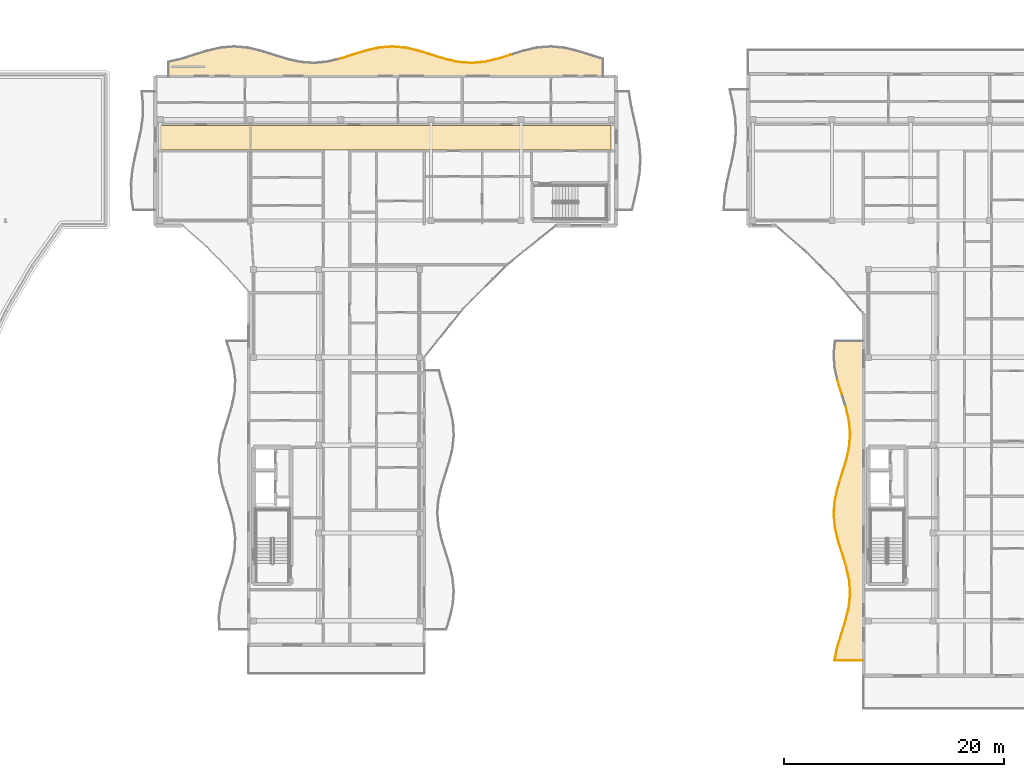
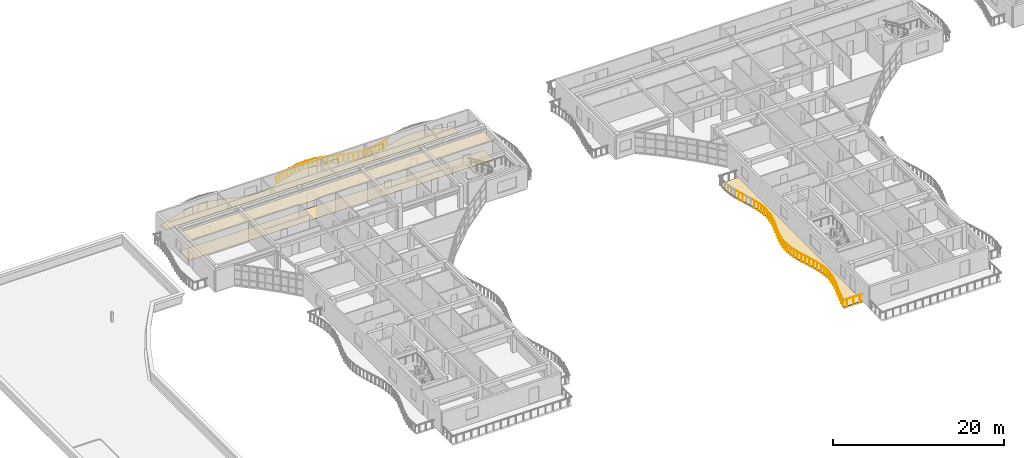
# One storey, part 43 of 54: 34 railings, 4 coverings.
"""IFC4 building model written with IfcOpenShell, lengths in metres."""

from ifc_helpers import new_model, si_unit, direction, frame, origin, origin_2d, place, context, subcontext, project, spatial, polyline, circle, outline, extrude, material, layer, layer_set, type_object, element, save


model = new_model("IFC4")

# Units and contexts
model_context = context("Model", 3, precision=1e-05, world=origin(), true_north=direction((0.0, 1.0)))
body_context = subcontext(model_context, "Body", "Model", "MODEL_VIEW")
ifc_project = project(units=[si_unit("LENGTHUNIT", "METRE"), si_unit("AREAUNIT", "SQUARE_METRE"), si_unit("VOLUMEUNIT", "CUBIC_METRE"), si_unit("PLANEANGLEUNIT", "RADIAN"), si_unit("MASSUNIT", "GRAM", prefix="KILO")], contexts=[model_context])

# Site, building, storey
site_placement = place(None, origin())
site = spatial("IfcSite", under=ifc_project, at=site_placement, CompositionType="ELEMENT")
building_placement = place(site_placement, origin())
building = spatial("IfcBuilding", under=site, at=building_placement, Name="Keldmere Railside Commons", CompositionType="ELEMENT")
storey_placement = place(building_placement, frame((0.0, 0.0, 26.56005859375)))
storey = spatial("IfcBuildingStorey", under=building, at=storey_placement, Name="L08", CompositionType="ELEMENT", Elevation=26.56005859375)

# Railings
ifc_material_1 = material(Name="Steel F-24 (S235)", Category="steel")
railing_type = type_object("IfcRailingType", Name="Balcony & Terrace Steel Balustrade 1100", PredefinedType="BALUSTRADE", material=ifc_material_1)
railing_1_placement = place(storey_placement, frame((56.300048828125, 115.18408203125, 0.0)))
element("IfcRailing", 1, at=railing_1_placement, inside=storey, type_object=railing_type, Name="GR-1 GRD-L08-1651", PredefinedType="BALUSTRADE", context=body_context, shape_type="SweptSolid", body=[
    extrude(circle(Radius=0.02392578125, at=origin_2d()), frame((0.0, 0.0, 1.076171875), z_axis=(0.954144313208, 0.299347005283, 0.0), x_axis=(-0.299347005283, 0.954144313208, 0.0)), (0.0, 0.0, 1.0), 1.257568359375),
    extrude(circle(Radius=0.02099609375, at=origin_2d()), frame((0.300048828125, 0.09423828125, 0.0)), (0.0, 0.0, 1.0), 1.048095703125),
    extrude(circle(Radius=0.02099609375, at=origin_2d()), frame((0.89990234375, 0.2822265625, 0.0)), (0.0, 0.0, 1.0), 1.048095703125),
])
railing_2_placement = place(storey_placement, frame((57.5, 115.560546875, 0.0)))
element("IfcRailing", 2, at=railing_2_placement, inside=storey, type_object=railing_type, Name="GR-1 GRD-L08-1652", PredefinedType="BALUSTRADE", context=body_context, shape_type="SweptSolid", body=[
    extrude(circle(Radius=0.02392578125, at=origin_2d()), frame((0.0, 0.0, 1.076171875), z_axis=(0.954807781872, 0.297223989067, 0.0), x_axis=(-0.297223989067, 0.954807781872, 0.0)), (0.0, 0.0, 1.0), 1.2568359375),
    extrude(circle(Radius=0.02099609375, at=origin_2d()), frame((0.300048828125, 0.09326171875, 0.0)), (0.0, 0.0, 1.0), 1.048095703125),
    extrude(circle(Radius=0.02099609375, at=origin_2d()), frame((0.89990234375, 0.2802734375, 0.0)), (0.0, 0.0, 1.0), 1.048095703125),
])
railing_3_placement = place(storey_placement, frame((58.699951171875, 115.93408203125, 0.0)))
element("IfcRailing", 3, at=railing_3_placement, inside=storey, type_object=railing_type, Name="GR-1 GRD-L08-1653", PredefinedType="BALUSTRADE", context=body_context, shape_type="SweptSolid", body=[
    extrude(circle(Radius=0.02392578125, at=origin_2d()), frame((0.0, 0.0, 1.076171875), z_axis=(0.975519348897, 0.219913619243, 0.0), x_axis=(-0.219913619243, 0.975519348897, 0.0)), (0.0, 0.0, 1.0), 1.22998046875),
    extrude(circle(Radius=0.02099609375, at=origin_2d()), frame((0.300048828125, 0.067626953125, 0.0)), (0.0, 0.0, 1.0), 1.048095703125),
    extrude(circle(Radius=0.02099609375, at=origin_2d()), frame((0.89990234375, 0.202880859375, 0.0)), (0.0, 0.0, 1.0), 1.048095703125),
])
railing_4_placement = place(storey_placement, frame((59.89990234375, 116.20458984375, 0.0)))
element("IfcRailing", 4, at=railing_4_placement, inside=storey, type_object=railing_type, Name="GR-1 GRD-L08-1654", PredefinedType="BALUSTRADE", context=body_context, shape_type="SweptSolid", body=[
    extrude(circle(Radius=0.02392578125, at=origin_2d()), frame((0.0, 0.0, 1.076171875), z_axis=(0.996867930625, 0.079084315082, 0.0), x_axis=(-0.079084315082, 0.996867930625, 0.0)), (0.0, 0.0, 1.0), 1.203857421875),
    extrude(circle(Radius=0.02099609375, at=origin_2d()), frame((0.300048828125, 0.02392578125, 0.0)), (0.0, 0.0, 1.0), 1.048095703125),
    extrude(circle(Radius=0.02099609375, at=origin_2d()), frame((0.900146484375, 0.0712890625, 0.0)), (0.0, 0.0, 1.0), 1.048095703125),
])
railing_5_placement = place(storey_placement, frame((61.10009765625, 116.2998046875, 0.0)))
element("IfcRailing", 5, at=railing_5_placement, inside=storey, type_object=railing_type, Name="GR-1 GRD-L08-1655", PredefinedType="BALUSTRADE", context=body_context, shape_type="SweptSolid", body=[
    extrude(circle(Radius=0.02392578125, at=origin_2d()), frame((0.0, 0.0, 1.076171875), z_axis=(0.996141844593, -0.08775776576, 0.0), x_axis=(0.08775776576, 0.996141844593, 0.0)), (0.0, 0.0, 1.0), 1.20458984375),
    extrude(circle(Radius=0.02099609375, at=origin_2d()), frame((0.300048828125, -0.0263671875, 0.0)), (0.0, 0.0, 1.0), 1.048095703125),
    extrude(circle(Radius=0.02099609375, at=origin_2d()), frame((0.89990234375, -0.079345703125, 0.0)), (0.0, 0.0, 1.0), 1.048095703125),
])
railing_6_placement = place(storey_placement, frame((62.300048828125, 116.194091796875, 0.0)))
element("IfcRailing", 6, at=railing_6_placement, inside=storey, type_object=railing_type, Name="GR-1 GRD-L08-1656", PredefinedType="BALUSTRADE", context=body_context, shape_type="SweptSolid", body=[
    extrude(circle(Radius=0.02392578125, at=origin_2d()), frame((0.0, 0.0, 1.076171875), z_axis=(0.974183667975, -0.225756906983, 0.0), x_axis=(0.225756906983, 0.974183667975, 0.0)), (0.0, 0.0, 1.0), 1.231689453125),
    extrude(circle(Radius=0.02099609375, at=origin_2d()), frame((0.300048828125, -0.069580078125, 0.0)), (0.0, 0.0, 1.0), 1.048095703125),
    extrude(circle(Radius=0.02099609375, at=origin_2d()), frame((0.89990234375, -0.20849609375, 0.0)), (0.0, 0.0, 1.0), 1.048095703125),
])
railing_7_placement = place(storey_placement, frame((63.5, 115.916015625, 0.0)))
element("IfcRailing", 7, at=railing_7_placement, inside=storey, type_object=railing_type, Name="GR-1 GRD-L08-1657", PredefinedType="BALUSTRADE", context=body_context, shape_type="SweptSolid", body=[
    extrude(circle(Radius=0.02392578125, at=origin_2d()), frame((0.0, 0.0, 1.076171875), z_axis=(0.954144313208, -0.299347005283, 0.0), x_axis=(0.299347005283, 0.954144313208, 0.0)), (0.0, 0.0, 1.0), 1.257568359375),
    extrude(circle(Radius=0.02099609375, at=origin_2d()), frame((0.300048828125, -0.09423828125, 0.0)), (0.0, 0.0, 1.0), 1.048095703125),
    extrude(circle(Radius=0.02099609375, at=origin_2d()), frame((0.89990234375, -0.2822265625, 0.0)), (0.0, 0.0, 1.0), 1.048095703125),
])
railing_8_placement = place(storey_placement, frame((64.699951171875, 115.53955078125, 0.0)))
element("IfcRailing", 8, at=railing_8_placement, inside=storey, type_object=railing_type, Name="GR-1 GRD-L08-1658", PredefinedType="BALUSTRADE", context=body_context, shape_type="SweptSolid", body=[
    extrude(circle(Radius=0.02392578125, at=origin_2d()), frame((0.0, 0.0, 1.076171875), z_axis=(0.954807781872, -0.297223989067, 0.0), x_axis=(0.297223989067, 0.954807781872, 0.0)), (0.0, 0.0, 1.0), 1.2568359375),
    extrude(circle(Radius=0.02099609375, at=origin_2d()), frame((0.300048828125, -0.09326171875, 0.0)), (0.0, 0.0, 1.0), 1.048095703125),
    extrude(circle(Radius=0.02099609375, at=origin_2d()), frame((0.89990234375, -0.2802734375, 0.0)), (0.0, 0.0, 1.0), 1.048095703125),
])
railing_9_placement = place(storey_placement, frame((65.89990234375, 115.166015625, 0.0)))
element("IfcRailing", 9, at=railing_9_placement, inside=storey, type_object=railing_type, Name="GR-1 GRD-L08-1659", PredefinedType="BALUSTRADE", context=body_context, shape_type="SweptSolid", body=[
    extrude(circle(Radius=0.02392578125, at=origin_2d()), frame((0.0, 0.0, 1.076171875), z_axis=(0.975486365065, -0.220059881786, 0.0), x_axis=(0.220059881786, 0.975486365065, 0.0)), (0.0, 0.0, 1.0), 1.23046875),
    extrude(circle(Radius=0.02099609375, at=origin_2d()), frame((0.300048828125, -0.067626953125, 0.0)), (0.0, 0.0, 1.0), 1.048095703125),
    extrude(circle(Radius=0.02099609375, at=origin_2d()), frame((0.900146484375, -0.203125, 0.0)), (0.0, 0.0, 1.0), 1.048095703125),
])
railing_10_placement = place(storey_placement, frame((67.10009765625, 114.895263671875, 0.0)))
element("IfcRailing", 10, at=railing_10_placement, inside=storey, type_object=railing_type, Name="GR-1 GRD-L08-1660", PredefinedType="BALUSTRADE", context=body_context, shape_type="SweptSolid", body=[
    extrude(circle(Radius=0.02392578125, at=origin_2d()), frame((0.0, 0.0, 1.076171875), z_axis=(0.996866661985, -0.079100304817, 0.0), x_axis=(0.079100304817, 0.996866661985, 0.0)), (0.0, 0.0, 1.0), 1.20361328125),
    extrude(circle(Radius=0.02099609375, at=origin_2d()), frame((0.300048828125, -0.02392578125, 0.0)), (0.0, 0.0, 1.0), 1.048095703125),
    extrude(circle(Radius=0.02099609375, at=origin_2d()), frame((0.89990234375, -0.0712890625, 0.0)), (0.0, 0.0, 1.0), 1.048095703125),
])
railing_11_placement = place(storey_placement, frame((68.300048828125, 114.800048828125, 0.0)))
element("IfcRailing", 11, at=railing_11_placement, inside=storey, type_object=railing_type, Name="GR-1 GRD-L08-1661", PredefinedType="BALUSTRADE", context=body_context, shape_type="SweptSolid", body=[
    extrude(circle(Radius=0.02392578125, at=origin_2d()), frame((0.0, 0.0, 1.076171875), z_axis=(0.996141844593, 0.08775776576, 0.0), x_axis=(-0.08775776576, 0.996141844593, 0.0)), (0.0, 0.0, 1.0), 1.20458984375),
    extrude(circle(Radius=0.02099609375, at=origin_2d()), frame((0.300048828125, 0.0263671875, 0.0)), (0.0, 0.0, 1.0), 1.048095703125),
    extrude(circle(Radius=0.02099609375, at=origin_2d()), frame((0.89990234375, 0.079345703125, 0.0)), (0.0, 0.0, 1.0), 1.048095703125),
])
railing_12_placement = place(storey_placement, frame((69.5, 114.90576171875, 0.0)))
element("IfcRailing", 12, at=railing_12_placement, inside=storey, type_object=railing_type, Name="GR-1 GRD-L08-1662", PredefinedType="BALUSTRADE", context=body_context, shape_type="SweptSolid", body=[
    extrude(circle(Radius=0.02392578125, at=origin_2d()), frame((0.0, 0.0, 1.076171875), z_axis=(0.974140060528, 0.22594499878, 0.0), x_axis=(-0.22594499878, 0.974140060528, 0.0)), (0.0, 0.0, 1.0), 1.231689453125),
    extrude(circle(Radius=0.02099609375, at=origin_2d()), frame((0.300048828125, 0.069580078125, 0.0)), (0.0, 0.0, 1.0), 1.048095703125),
    extrude(circle(Radius=0.02099609375, at=origin_2d()), frame((0.89990234375, 0.208740234375, 0.0)), (0.0, 0.0, 1.0), 1.048095703125),
])
railing_13_placement = place(storey_placement, frame((70.699951171875, 115.18408203125, 0.0)))
element("IfcRailing", 13, at=railing_13_placement, inside=storey, type_object=railing_type, Name="GR-1 GRD-L08-1663", PredefinedType="BALUSTRADE", context=body_context, shape_type="SweptSolid", body=[
    extrude(circle(Radius=0.02392578125, at=origin_2d()), frame((0.0, 0.0, 1.076171875), z_axis=(0.954144313208, 0.299347005283, 0.0), x_axis=(-0.299347005283, 0.954144313208, 0.0)), (0.0, 0.0, 1.0), 1.257568359375),
    extrude(circle(Radius=0.02099609375, at=origin_2d()), frame((0.300048828125, 0.09423828125, 0.0)), (0.0, 0.0, 1.0), 1.048095703125),
    extrude(circle(Radius=0.02099609375, at=origin_2d()), frame((0.89990234375, 0.2822265625, 0.0)), (0.0, 0.0, 1.0), 1.048095703125),
])
railing_14_placement = place(storey_placement, frame((104.0, 60.39990234375, 0.0)))
element("IfcRailing", 14, at=railing_14_placement, inside=storey, type_object=railing_type, Name="GR-1 GRD-L08-2785", PredefinedType="BALUSTRADE", context=body_context, shape_type="SweptSolid", body=[
    extrude(circle(Radius=0.02392578125, at=origin_2d()), frame((0.0, 0.0, 1.076171875), z_axis=(-1.0, 0.0, 0.0), x_axis=(0.0, -1.0, 0.0)), (0.0, 0.0, 1.0), 2.626708984375),
    extrude(circle(Radius=0.02099609375, at=origin_2d()), frame((-0.437744140625, 0.0, 0.0)), (0.0, 0.0, 1.0), 1.048095703125),
    extrude(circle(Radius=0.02099609375, at=origin_2d()), frame((-1.3134765625, 0.0, 0.0)), (0.0, 0.0, 1.0), 1.048095703125),
    extrude(circle(Radius=0.02099609375, at=origin_2d()), frame((-2.18896484375, 0.0, 0.0)), (0.0, 0.0, 1.0), 1.048095703125),
])
railing_15_placement = place(storey_placement, frame((101.373291015625, 60.39990234375, 0.0)))
element("IfcRailing", 15, at=railing_15_placement, inside=storey, type_object=railing_type, Name="GR-1 GRD-L08-2786", PredefinedType="BALUSTRADE", context=body_context, shape_type="SweptSolid", body=[
    extrude(circle(Radius=0.02392578125, at=origin_2d()), frame((0.0, 0.0, 1.076171875), z_axis=(0.206447290902, 0.978457723195, 0.0), x_axis=(-0.978457723195, 0.206447290902, 0.0)), (0.0, 0.0, 1.0), 1.2392578125),
    extrude(circle(Radius=0.02099609375, at=origin_2d()), frame((0.06396484375, 0.30322265625, 0.0)), (0.0, 0.0, 1.0), 1.048095703125),
    extrude(circle(Radius=0.02099609375, at=origin_2d()), frame((0.19189453125, 0.909423828125, 0.0)), (0.0, 0.0, 1.0), 1.048095703125),
])
railing_16_placement = place(storey_placement, frame((101.629150390625, 61.612548828125, 0.0)))
element("IfcRailing", 16, at=railing_16_placement, inside=storey, type_object=railing_type, Name="GR-1 GRD-L08-2787", PredefinedType="BALUSTRADE", context=body_context, shape_type="SweptSolid", body=[
    extrude(circle(Radius=0.02392578125, at=origin_2d()), frame((0.0, 0.0, 1.076171875), z_axis=(0.292502270281, 0.956264828319, 0.0), x_axis=(-0.956264828319, 0.292502270281, 0.0)), (0.0, 0.0, 1.0), 1.267822265625),
    extrude(circle(Radius=0.02099609375, at=origin_2d()), frame((0.0927734375, 0.30322265625, 0.0)), (0.0, 0.0, 1.0), 1.048095703125),
    extrude(circle(Radius=0.02099609375, at=origin_2d()), frame((0.278076171875, 0.9091796875, 0.0)), (0.0, 0.0, 1.0), 1.048095703125),
])
railing_17_placement = place(storey_placement, frame((102.0, 62.824951171875, 0.0)))
element("IfcRailing", 17, at=railing_17_placement, inside=storey, type_object=railing_type, Name="GR-1 GRD-L08-2788", PredefinedType="BALUSTRADE", context=body_context, shape_type="SweptSolid", body=[
    extrude(circle(Radius=0.02392578125, at=origin_2d()), frame((0.0, 0.0, 1.076171875), z_axis=(0.302260873396, 0.953225243274, 0.0), x_axis=(-0.953225243274, 0.302260873396, 0.0)), (0.0, 0.0, 1.0), 1.272216796875),
    extrude(circle(Radius=0.02099609375, at=origin_2d()), frame((0.09619140625, 0.30322265625, 0.0)), (0.0, 0.0, 1.0), 1.048095703125),
    extrude(circle(Radius=0.02099609375, at=origin_2d()), frame((0.288330078125, 0.909423828125, 0.0)), (0.0, 0.0, 1.0), 1.048095703125),
])
railing_18_placement = place(storey_placement, frame((102.384521484375, 64.03759765625, 0.0)))
element("IfcRailing", 18, at=railing_18_placement, inside=storey, type_object=railing_type, Name="GR-1 GRD-L08-2789", PredefinedType="BALUSTRADE", context=body_context, shape_type="SweptSolid", body=[
    extrude(circle(Radius=0.02392578125, at=origin_2d()), frame((0.0, 0.0, 1.076171875), z_axis=(0.234882886242, 0.972023677567, 0.0), x_axis=(-0.972023677567, 0.234882886242, 0.0)), (0.0, 0.0, 1.0), 1.247314453125),
    extrude(circle(Radius=0.02099609375, at=origin_2d()), frame((0.0732421875, 0.30322265625, 0.0)), (0.0, 0.0, 1.0), 1.048095703125),
    extrude(circle(Radius=0.02099609375, at=origin_2d()), frame((0.2197265625, 0.9091796875, 0.0)), (0.0, 0.0, 1.0), 1.048095703125),
])
railing_19_placement = place(storey_placement, frame((102.677490234375, 65.25, 0.0)))
element("IfcRailing", 19, at=railing_19_placement, inside=storey, type_object=railing_type, Name="GR-1 GRD-L08-2790", PredefinedType="BALUSTRADE", context=body_context, shape_type="SweptSolid", body=[
    extrude(circle(Radius=0.02392578125, at=origin_2d()), frame((0.0, 0.0, 1.076171875), z_axis=(0.099781447912, 0.995009378173, 0.0), x_axis=(-0.995009378173, 0.099781447912, 0.0)), (0.0, 0.0, 1.0), 1.218505859375),
    extrude(circle(Radius=0.02099609375, at=origin_2d()), frame((0.0302734375, 0.30322265625, 0.0)), (0.0, 0.0, 1.0), 1.048095703125),
    extrude(circle(Radius=0.02099609375, at=origin_2d()), frame((0.09130859375, 0.9091796875, 0.0)), (0.0, 0.0, 1.0), 1.048095703125),
])
railing_20_placement = place(storey_placement, frame((102.799072265625, 66.46240234375, 0.0)))
element("IfcRailing", 20, at=railing_20_placement, inside=storey, type_object=railing_type, Name="GR-1 GRD-L08-2791", PredefinedType="BALUSTRADE", context=body_context, shape_type="SweptSolid", body=[
    extrude(circle(Radius=0.02392578125, at=origin_2d()), frame((0.0, 0.0, 1.076171875), z_axis=(-0.068491890586, 0.997651673142, 0.0), x_axis=(-0.997651673142, -0.068491890586, 0.0)), (0.0, 0.0, 1.0), 1.215576171875),
    extrude(circle(Radius=0.02099609375, at=origin_2d()), frame((-0.020751953125, 0.30322265625, 0.0)), (0.0, 0.0, 1.0), 1.048095703125),
    extrude(circle(Radius=0.02099609375, at=origin_2d()), frame((-0.0625, 0.909423828125, 0.0)), (0.0, 0.0, 1.0), 1.048095703125),
])
railing_21_placement = place(storey_placement, frame((102.7158203125, 67.675048828125, 0.0)))
element("IfcRailing", 21, at=railing_21_placement, inside=storey, type_object=railing_type, Name="GR-1 GRD-L08-2792", PredefinedType="BALUSTRADE", context=body_context, shape_type="SweptSolid", body=[
    extrude(circle(Radius=0.02392578125, at=origin_2d()), frame((0.0, 0.0, 1.076171875), z_axis=(-0.214013646719, 0.976830670596, 0.0), x_axis=(-0.976830670596, -0.214013646719, 0.0)), (0.0, 0.0, 1.0), 1.2412109375),
    extrude(circle(Radius=0.02099609375, at=origin_2d()), frame((-0.06640625, 0.30322265625, 0.0)), (0.0, 0.0, 1.0), 1.048095703125),
    extrude(circle(Radius=0.02099609375, at=origin_2d()), frame((-0.19921875, 0.9091796875, 0.0)), (0.0, 0.0, 1.0), 1.048095703125),
])
railing_22_placement = place(storey_placement, frame((102.4501953125, 68.887451171875, 0.0)))
element("IfcRailing", 22, at=railing_22_placement, inside=storey, type_object=railing_type, Name="GR-1 GRD-L08-2793", PredefinedType="BALUSTRADE", context=body_context, shape_type="SweptSolid", body=[
    extrude(circle(Radius=0.02392578125, at=origin_2d()), frame((0.0, 0.0, 1.076171875), z_axis=(-0.295261577807, 0.955416454051, 0.0), x_axis=(-0.955416454051, -0.295261577807, 0.0)), (0.0, 0.0, 1.0), 1.269287109375),
    extrude(circle(Radius=0.02099609375, at=origin_2d()), frame((-0.09375, 0.30322265625, 0.0)), (0.0, 0.0, 1.0), 1.048095703125),
    extrude(circle(Radius=0.02099609375, at=origin_2d()), frame((-0.281005859375, 0.909423828125, 0.0)), (0.0, 0.0, 1.0), 1.048095703125),
])
railing_23_placement = place(storey_placement, frame((102.075439453125, 70.10009765625, 0.0)))
element("IfcRailing", 23, at=railing_23_placement, inside=storey, type_object=railing_type, Name="GR-1 GRD-L08-2794", PredefinedType="BALUSTRADE", context=body_context, shape_type="SweptSolid", body=[
    extrude(circle(Radius=0.02392578125, at=origin_2d()), frame((0.0, 0.0, 1.076171875), z_axis=(-0.3003959009, 0.953814606054, 0.0), x_axis=(-0.953814606054, -0.3003959009, 0.0)), (0.0, 0.0, 1.0), 1.27099609375),
    extrude(circle(Radius=0.02099609375, at=origin_2d()), frame((-0.095458984375, 0.30322265625, 0.0)), (0.0, 0.0, 1.0), 1.048095703125),
    extrude(circle(Radius=0.02099609375, at=origin_2d()), frame((-0.286376953125, 0.9091796875, 0.0)), (0.0, 0.0, 1.0), 1.048095703125),
])
railing_24_placement = place(storey_placement, frame((101.693603515625, 71.3125, 0.0)))
element("IfcRailing", 24, at=railing_24_placement, inside=storey, type_object=railing_type, Name="GR-1 GRD-L08-2795", PredefinedType="BALUSTRADE", context=body_context, shape_type="SweptSolid", body=[
    extrude(circle(Radius=0.02392578125, at=origin_2d()), frame((0.0, 0.0, 1.076171875), z_axis=(-0.228394578608, 0.973568650102, 0.0), x_axis=(-0.973568650102, -0.228394578608, 0.0)), (0.0, 0.0, 1.0), 1.245361328125),
    extrude(circle(Radius=0.02099609375, at=origin_2d()), frame((-0.071044921875, 0.30322265625, 0.0)), (0.0, 0.0, 1.0), 1.048095703125),
    extrude(circle(Radius=0.02099609375, at=origin_2d()), frame((-0.21337890625, 0.9091796875, 0.0)), (0.0, 0.0, 1.0), 1.048095703125),
])
railing_25_placement = place(storey_placement, frame((101.4091796875, 72.52490234375, 0.0)))
element("IfcRailing", 25, at=railing_25_placement, inside=storey, type_object=railing_type, Name="GR-1 GRD-L08-2796", PredefinedType="BALUSTRADE", context=body_context, shape_type="SweptSolid", body=[
    extrude(circle(Radius=0.02392578125, at=origin_2d()), frame((0.0, 0.0, 1.076171875), z_axis=(-0.089631732276, 0.995974975875, 0.0), x_axis=(-0.995974975875, -0.089631732276, 0.0)), (0.0, 0.0, 1.0), 1.217529296875),
    extrude(circle(Radius=0.02099609375, at=origin_2d()), frame((-0.02734375, 0.30322265625, 0.0)), (0.0, 0.0, 1.0), 1.048095703125),
    extrude(circle(Radius=0.02099609375, at=origin_2d()), frame((-0.081787109375, 0.909423828125, 0.0)), (0.0, 0.0, 1.0), 1.048095703125),
])
railing_26_placement = place(storey_placement, frame((101.300048828125, 73.737548828125, 0.0)))
element("IfcRailing", 26, at=railing_26_placement, inside=storey, type_object=railing_type, Name="GR-1 GRD-L08-2797", PredefinedType="BALUSTRADE", context=body_context, shape_type="SweptSolid", body=[
    extrude(circle(Radius=0.02392578125, at=origin_2d()), frame((0.0, 0.0, 1.076171875), z_axis=(0.078891482372, 0.996883209814, 0.0), x_axis=(-0.996883209814, 0.078891482372, 0.0)), (0.0, 0.0, 1.0), 1.21630859375),
    extrude(circle(Radius=0.02099609375, at=origin_2d()), frame((0.02392578125, 0.30322265625, 0.0)), (0.0, 0.0, 1.0), 1.048095703125),
    extrude(circle(Radius=0.02099609375, at=origin_2d()), frame((0.072021484375, 0.9091796875, 0.0)), (0.0, 0.0, 1.0), 1.048095703125),
])
railing_27_placement = place(storey_placement, frame((101.39599609375, 74.949951171875, 0.0)))
element("IfcRailing", 27, at=railing_27_placement, inside=storey, type_object=railing_type, Name="GR-1 GRD-L08-2798", PredefinedType="BALUSTRADE", context=body_context, shape_type="SweptSolid", body=[
    extrude(circle(Radius=0.02392578125, at=origin_2d()), frame((0.0, 0.0, 1.076171875), z_axis=(0.220899659208, 0.975296539808, 0.0), x_axis=(-0.975296539808, 0.220899659208, 0.0)), (0.0, 0.0, 1.0), 1.243408203125),
    extrude(circle(Radius=0.02099609375, at=origin_2d()), frame((0.068603515625, 0.30322265625, 0.0)), (0.0, 0.0, 1.0), 1.048095703125),
    extrude(circle(Radius=0.02099609375, at=origin_2d()), frame((0.2060546875, 0.909423828125, 0.0)), (0.0, 0.0, 1.0), 1.048095703125),
])
railing_28_placement = place(storey_placement, frame((101.670654296875, 76.16259765625, 0.0)))
element("IfcRailing", 28, at=railing_28_placement, inside=storey, type_object=railing_type, Name="GR-1 GRD-L08-2799", PredefinedType="BALUSTRADE", context=body_context, shape_type="SweptSolid", body=[
    extrude(circle(Radius=0.02392578125, at=origin_2d()), frame((0.0, 0.0, 1.076171875), z_axis=(0.29794662196, 0.954582532033, 0.0), x_axis=(-0.954582532033, 0.29794662196, 0.0)), (0.0, 0.0, 1.0), 1.27001953125),
    extrude(circle(Radius=0.02099609375, at=origin_2d()), frame((0.0947265625, 0.30322265625, 0.0)), (0.0, 0.0, 1.0), 1.048095703125),
    extrude(circle(Radius=0.02099609375, at=origin_2d()), frame((0.28369140625, 0.9091796875, 0.0)), (0.0, 0.0, 1.0), 1.048095703125),
])
railing_29_placement = place(storey_placement, frame((102.049072265625, 77.375, 0.0)))
element("IfcRailing", 29, at=railing_29_placement, inside=storey, type_object=railing_type, Name="GR-1 GRD-L08-2800", PredefinedType="BALUSTRADE", context=body_context, shape_type="SweptSolid", body=[
    extrude(circle(Radius=0.02392578125, at=origin_2d()), frame((0.0, 0.0, 1.076171875), z_axis=(0.298121766425, 0.954527847883, 0.0), x_axis=(-0.954527847883, 0.298121766425, 0.0)), (0.0, 0.0, 1.0), 1.270263671875),
    extrude(circle(Radius=0.02099609375, at=origin_2d()), frame((0.0947265625, 0.30322265625, 0.0)), (0.0, 0.0, 1.0), 1.048095703125),
    extrude(circle(Radius=0.02099609375, at=origin_2d()), frame((0.283935546875, 0.9091796875, 0.0)), (0.0, 0.0, 1.0), 1.048095703125),
])
railing_30_placement = place(storey_placement, frame((102.427734375, 78.58740234375, 0.0)))
element("IfcRailing", 30, at=railing_30_placement, inside=storey, type_object=railing_type, Name="GR-1 GRD-L08-2801", PredefinedType="BALUSTRADE", context=body_context, shape_type="SweptSolid", body=[
    extrude(circle(Radius=0.02392578125, at=origin_2d()), frame((0.0, 0.0, 1.076171875), z_axis=(0.221459871084, 0.975169485525, 0.0), x_axis=(-0.975169485525, 0.221459871084, 0.0)), (0.0, 0.0, 1.0), 1.243408203125),
    extrude(circle(Radius=0.02099609375, at=origin_2d()), frame((0.06884765625, 0.30322265625, 0.0)), (0.0, 0.0, 1.0), 1.048095703125),
    extrude(circle(Radius=0.02099609375, at=origin_2d()), frame((0.20654296875, 0.909423828125, 0.0)), (0.0, 0.0, 1.0), 1.048095703125),
])
railing_31_placement = place(storey_placement, frame((102.703125, 79.800048828125, 0.0)))
element("IfcRailing", 31, at=railing_31_placement, inside=storey, type_object=railing_type, Name="GR-1 GRD-L08-2802", PredefinedType="BALUSTRADE", context=body_context, shape_type="SweptSolid", body=[
    extrude(circle(Radius=0.02392578125, at=origin_2d()), frame((0.0, 0.0, 1.076171875), z_axis=(0.079489916504, 0.996835670095, 0.0), x_axis=(-0.996835670095, 0.079489916504, 0.0)), (0.0, 0.0, 1.0), 1.21630859375),
    extrude(circle(Radius=0.02099609375, at=origin_2d()), frame((0.024169921875, 0.30322265625, 0.0)), (0.0, 0.0, 1.0), 1.048095703125),
    extrude(circle(Radius=0.02099609375, at=origin_2d()), frame((0.072509765625, 0.9091796875, 0.0)), (0.0, 0.0, 1.0), 1.048095703125),
])
railing_32_placement = place(storey_placement, frame((102.7998046875, 81.012451171875, 0.0)))
element("IfcRailing", 32, at=railing_32_placement, inside=storey, type_object=railing_type, Name="GR-1 GRD-L08-2803", PredefinedType="BALUSTRADE", context=body_context, shape_type="SweptSolid", body=[
    extrude(circle(Radius=0.02392578125, at=origin_2d()), frame((0.0, 0.0, 1.076171875), z_axis=(-0.088836016794, 0.99604626505, 0.0), x_axis=(-0.99604626505, -0.088836016794, 0.0)), (0.0, 0.0, 1.0), 1.217529296875),
    extrude(circle(Radius=0.02099609375, at=origin_2d()), frame((-0.027099609375, 0.30322265625, 0.0)), (0.0, 0.0, 1.0), 1.048095703125),
    extrude(circle(Radius=0.02099609375, at=origin_2d()), frame((-0.0810546875, 0.909423828125, 0.0)), (0.0, 0.0, 1.0), 1.048095703125),
])
railing_33_placement = place(storey_placement, frame((102.691650390625, 82.22509765625, 0.0)))
element("IfcRailing", 33, at=railing_33_placement, inside=storey, type_object=railing_type, Name="GR-1 GRD-L08-2804", PredefinedType="BALUSTRADE", context=body_context, shape_type="SweptSolid", body=[
    extrude(circle(Radius=0.02392578125, at=origin_2d()), frame((0.0, 0.0, 1.076171875), z_axis=(-0.227837005623, 0.973699285647, 0.0), x_axis=(-0.973699285647, -0.227837005623, 0.0)), (0.0, 0.0, 1.0), 1.2451171875),
    extrude(circle(Radius=0.02099609375, at=origin_2d()), frame((-0.07080078125, 0.30322265625, 0.0)), (0.0, 0.0, 1.0), 1.048095703125),
    extrude(circle(Radius=0.02099609375, at=origin_2d()), frame((-0.212890625, 0.9091796875, 0.0)), (0.0, 0.0, 1.0), 1.048095703125),
])
railing_34_placement = place(storey_placement, frame((102.0263671875, 84.64990234375, 0.0)))
element("IfcRailing", 34, at=railing_34_placement, inside=storey, type_object=railing_type, Name="GR-1 GRD-L08-2806", PredefinedType="BALUSTRADE", context=body_context, shape_type="SweptSolid", body=[
    extrude(circle(Radius=0.02392578125, at=origin_2d()), frame((0.0, 0.0, 1.076171875), z_axis=(-0.295437146463, 0.9553621787, 0.0), x_axis=(-0.9553621787, -0.295437146463, 0.0)), (0.0, 0.0, 1.0), 1.269287109375),
    extrude(circle(Radius=0.02099609375, at=origin_2d()), frame((-0.09375, 0.30322265625, 0.0)), (0.0, 0.0, 1.0), 1.048095703125),
    extrude(circle(Radius=0.02099609375, at=origin_2d()), frame((-0.28125, 0.909423828125, 0.0)), (0.0, 0.0, 1.0), 1.048095703125),
])

# Coverings
ifc_material_2 = material(Name="Polished Terrazzo Tile Flooring", Category="concrete")
ifc_layer_1 = layer(ifc_material_2, 0.030029296875, Name="Polished Terrazzo Floor Finish 30")
ifc_layer_set_1 = layer_set([ifc_layer_1], Name="Polished Terrazzo Tile Flooring")
covering_type_1 = type_object("IfcCoveringType", Name="Polished Terrazzo Floor Finish 30", PredefinedType="FLOORING", material=ifc_layer_set_1)
covering_1_placement = place(storey_placement, origin())
element("IfcCovering", 35, at=covering_1_placement, inside=storey, type_object=covering_type_1, Name="FLR-1 Corridor Terrazzo C-L08", PredefinedType="FLOORING", context=body_context, shape_type="SweptSolid", body=[
    extrude(outline(polyline([(39.97998046875, 106.8798828125), (81.02001953125, 106.8798828125), (81.02001953125, 109.1201171875), (39.97998046875, 109.1201171875), (39.97998046875, 106.8798828125)])), origin(), (0.0, 0.0, 1.0), 0.030029296875),
])
ifc_material_3 = material(Name="Acoustic Mineral-Fibre Gypsum Ceiling", Category="gypsum")
ifc_layer_2 = layer(ifc_material_3, 0.02490234375, Name="Suspended Acoustic Ceiling 25")
ifc_layer_set_2 = layer_set([ifc_layer_2], Name="Acoustic Mineral-Fibre Gypsum Ceiling")
covering_type_2 = type_object("IfcCoveringType", Name="Suspended Acoustic Ceiling 25", PredefinedType="CEILING", material=ifc_layer_set_2)
covering_2_placement = place(storey_placement, frame((0.0, 0.0, 2.675048828125)))
element("IfcCovering", 36, at=covering_2_placement, inside=storey, type_object=covering_type_2, Name="CLG-1 Corridor Ceiling C-L08", PredefinedType="CEILING", context=body_context, shape_type="SweptSolid", body=[
    extrude(outline(polyline([(39.97998046875, 106.8798828125), (81.02001953125, 106.8798828125), (81.02001953125, 109.1201171875), (39.97998046875, 109.1201171875), (39.97998046875, 106.8798828125)])), origin(), (0.0, 0.0, 1.0), 0.02490234375),
])
ifc_material_4 = material(Name="White Precast Concrete C35/45", Category="concrete")
ifc_layer_3 = layer(ifc_material_4, 0.044921875, Name="White Architectural Balcony Ribbon Cladding 45")
ifc_layer_set_3 = layer_set([ifc_layer_3], Name="White Precast Concrete C35/45")
covering_type_3 = type_object("IfcCoveringType", Name="White Architectural Balcony Ribbon Cladding 45", PredefinedType="FLOORING", material=ifc_layer_set_3)
covering_3_placement = place(storey_placement, origin())
element("IfcCovering", 37, at=covering_3_placement, inside=storey, type_object=covering_type_3, Name="CLG-WB C L08 N White Balcony Ribbon", PredefinedType="FLOORING", context=body_context, shape_type="SweptSolid", body=[
    extrude(outline(polyline([(80.260009765625, 113.639892578125), (80.260009765625, 115.136474609375), (79.088134765625, 115.501220703125), (79.087890625, 115.501220703125), (77.889404296875, 115.877197265625), (76.693603515625, 116.154541015625), (75.499755859375, 116.259765625), (74.305908203125, 116.1650390625), (73.1103515625, 115.8955078125), (71.911865234375, 115.522216796875), (70.7119140625, 115.14599609375), (70.708984375, 115.14501953125), (69.509033203125, 114.86669921875), (69.50341796875, 114.865966796875), (68.303466796875, 114.76025390625), (68.30029296875, 114.760009765625), (68.296875, 114.76025390625), (67.0966796875, 114.85546875), (67.09130859375, 114.856201171875), (65.89111328125, 115.126953125), (65.88818359375, 115.127685546875), (64.68798828125, 115.501220703125), (64.68798828125, 115.501220703125), (63.489501953125, 115.877197265625), (62.293701171875, 116.154541015625), (61.099853515625, 116.259765625), (59.906005859375, 116.1650390625), (58.71044921875, 115.8955078125), (57.511962890625, 115.522216796875), (56.31201171875, 115.14599609375), (56.30908203125, 115.14501953125), (55.10888671875, 114.86669921875), (55.103515625, 114.865966796875), (53.903564453125, 114.76025390625), (53.900146484375, 114.760009765625), (53.896728515625, 114.76025390625), (52.69677734375, 114.85546875), (52.691162109375, 114.856201171875), (51.4912109375, 115.126953125), (51.488037109375, 115.127685546875), (50.2880859375, 115.501220703125), (50.2880859375, 115.501220703125), (49.089599609375, 115.877197265625), (47.893798828125, 116.154541015625), (46.69970703125, 116.259765625), (45.506103515625, 116.1650390625), (44.310302734375, 115.8955078125), (43.11181640625, 115.522216796875), (41.912109375, 115.14599609375), (41.908935546875, 115.14501953125), (40.739990234375, 114.8740234375), (40.739990234375, 113.639892578125), (80.260009765625, 113.639892578125)])), origin(), (0.0, 0.0, 1.0), 0.044921875),
])
covering_4_placement = place(storey_placement, origin())
element("IfcCovering", 38, at=covering_4_placement, inside=storey, type_object=covering_type_3, Name="CLG-WB B L08 CW White Balcony Ribbon", PredefinedType="FLOORING", context=body_context, shape_type="SweptSolid", body=[
    extrude(outline(polyline([(103.9599609375, 89.4599609375), (101.45751953125, 89.4599609375), (101.341064453125, 88.286865234375), (101.4248046875, 87.080810546875), (101.68994140625, 85.872802734375), (102.064697265625, 84.661865234375), (102.4462890625, 83.449462890625), (102.447021484375, 83.446533203125), (102.730712890625, 82.234130859375), (102.7314453125, 82.228515625), (102.839599609375, 81.01611328125), (102.83984375, 81.0126953125), (102.83984375, 81.00927734375), (102.742919921875, 79.796875), (102.7421875, 79.791015625), (102.466796875, 78.57861328125), (102.4658203125, 78.57568359375), (102.08740234375, 77.363037109375), (101.70947265625, 76.152099609375), (101.435546875, 74.944091796875), (101.340087890625, 73.73779296875), (101.448974609375, 72.531494140625), (101.732421875, 71.322998046875), (102.11376953125, 70.112060546875), (102.11376953125, 70.11181640625), (102.488525390625, 68.8994140625), (102.489501953125, 68.89599609375), (102.7548828125, 67.68359375), (102.755615234375, 67.677734375), (102.839111328125, 66.465087890625), (102.839111328125, 66.4619140625), (102.8388671875, 66.45849609375), (102.71728515625, 65.24609375), (102.716552734375, 65.240478515625), (102.423583984375, 64.028076171875), (102.422607421875, 64.025390625), (102.0380859375, 62.81298828125), (101.66796875, 61.6025390625), (101.422607421875, 60.43994140625), (103.9599609375, 60.43994140625), (103.9599609375, 89.4599609375)])), origin(), (0.0, 0.0, 1.0), 0.044921875),
])

save(model, "model.ifc")
